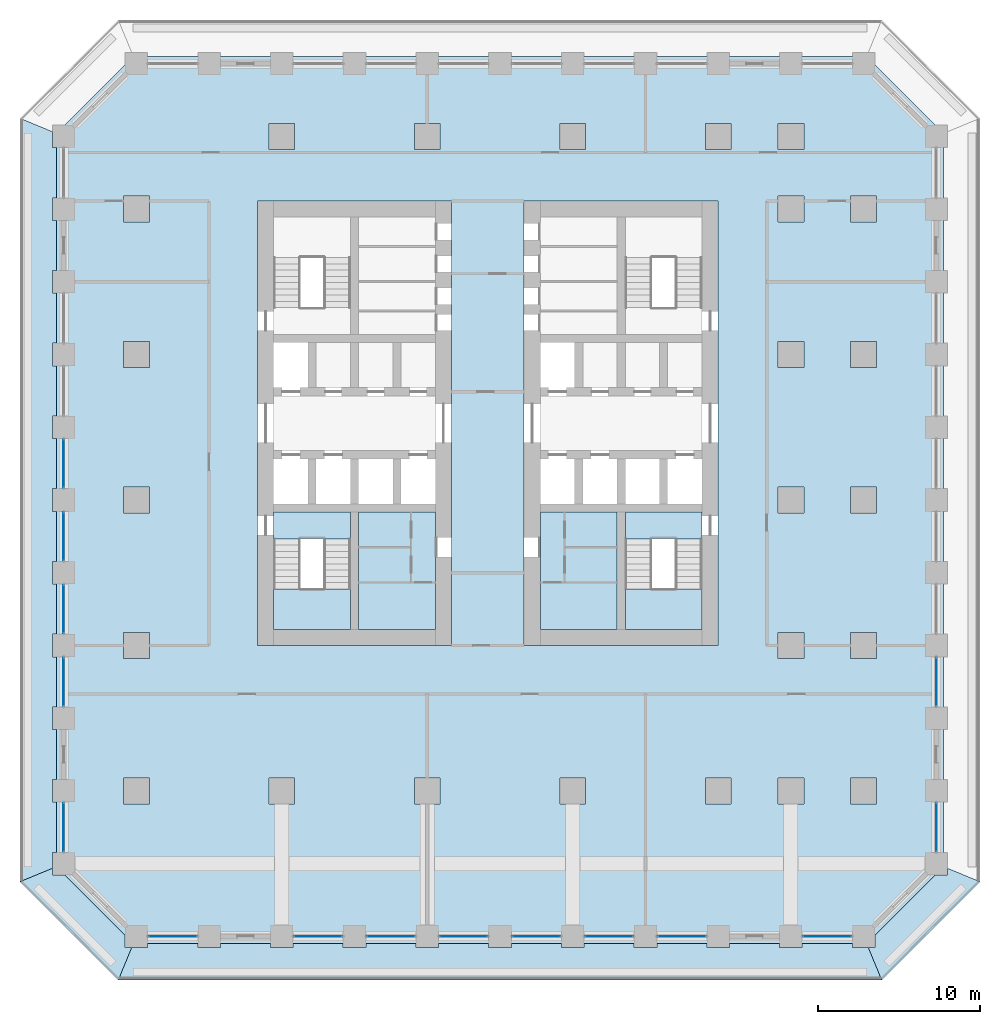
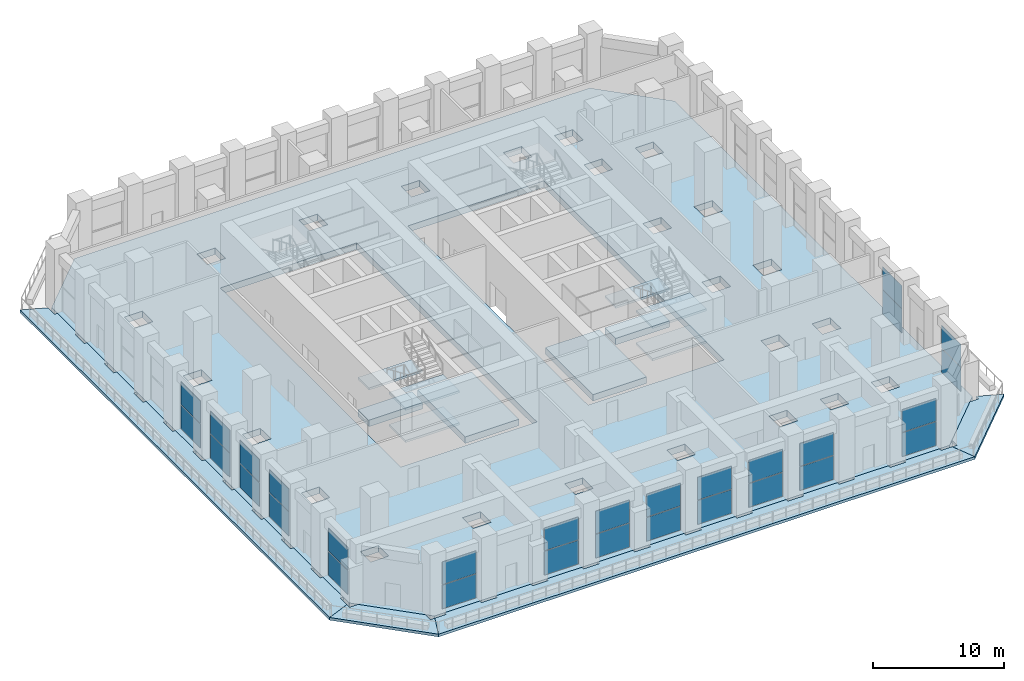
# One storey, part 9 of 19: 30 plates, 15 slabs, 17 elements without a shape of their own.
"""IFC4 building model written with IfcOpenShell, lengths in metres."""

from ifc_helpers import new_model, si_unit, direction, frame, origin, origin_2d, place, context, subcontext, project, spatial, polyline, rectangle, outline, extrude, material, layer, layer_set, type_object, element, aggregate, save


model = new_model("IFC4")

# Units and contexts
model_context = context("Model", 3, precision=1e-05, world=origin(), true_north=direction((0.0, 1.0)))
body_context = subcontext(model_context, "Body", "Model", "MODEL_VIEW")
ifc_project = project(units=[si_unit("LENGTHUNIT", "METRE"), si_unit("AREAUNIT", "SQUARE_METRE"), si_unit("VOLUMEUNIT", "CUBIC_METRE"), si_unit("PLANEANGLEUNIT", "RADIAN"), si_unit("MASSUNIT", "GRAM", prefix="KILO")], contexts=[model_context])

# Site, building, storey
site_placement = place(None, origin())
site = spatial("IfcSite", under=ifc_project, at=site_placement, CompositionType="ELEMENT")
building_placement = place(site_placement, origin())
building = spatial("IfcBuilding", under=site, at=building_placement, Name="Corbel Stack Research Tower", CompositionType="ELEMENT")
storey_placement = place(building_placement, frame((0.0, 0.0, 70.60009765625)))
storey = spatial("IfcBuildingStorey", under=building, at=storey_placement, Name="L16", CompositionType="ELEMENT", Elevation=70.60009765625)

# Curtain wall, plates
ifc_material_1 = material(Name="Aluminium frame, clear glass", Category="aluminium")
curtain_wall_type = type_object("IfcCurtainWallType", Name="Amenity floor curtain wall CW2", PredefinedType="NOTDEFINED", material=ifc_material_1)
curtain_wall_1_placement = place(storey_placement, origin())
curtain_wall_1 = element("IfcCurtainWall", 1, at=curtain_wall_1_placement, inside=storey, type_object=curtain_wall_type, Name="Curtain wall CW2 L16 S01", PredefinedType="NOTDEFINED")
ifc_material_2 = material(Name="Clear glass", Category="glass")
ifc_layer_1 = layer(ifc_material_2, 0.028076171875)
ifc_layer_set_1 = layer_set([ifc_layer_1], Name="Clear glass")
plate_type = type_object("IfcPlateType", Name="Clear glazing 28", PredefinedType="CURTAIN_PANEL", material=ifc_layer_set_1)
plate_1_placement = place(storey_placement, frame((-15.75, -27.0, 0.059814453125), z_axis=(0.0, 0.0, 1.0), x_axis=(1.0, 0.0, 0.0)))
plate_1 = element("IfcPlate", 2, at=plate_1_placement, type_object=plate_type, Name="CW2 L16 S01 panel 1.1", PredefinedType="CURTAIN_PANEL", context=body_context, shape_type="SweptSolid", body=[
    extrude(rectangle(XDim=2.97998046875, YDim=0.028076171875, at=origin_2d()), origin(), (0.0, 0.0, 1.0), 2.2099609375),
])
plate_2_placement = place(storey_placement, frame((-15.75, -27.0, 2.330078125), z_axis=(0.0, 0.0, 1.0), x_axis=(1.0, 0.0, 0.0)))
plate_2 = element("IfcPlate", 3, at=plate_2_placement, type_object=plate_type, Name="CW2 L16 S01 panel 1.2", PredefinedType="CURTAIN_PANEL", context=body_context, shape_type="SweptSolid", body=[
    extrude(rectangle(XDim=2.97998046875, YDim=0.028076171875, at=origin_2d()), origin(), (0.0, 0.0, 1.0), 2.110107421875),
])
aggregate(curtain_wall_1, [plate_1, plate_2])

curtain_wall_2_placement = place(storey_placement, origin())
curtain_wall_2 = element("IfcCurtainWall", 4, at=curtain_wall_2_placement, inside=storey, type_object=curtain_wall_type, Name="Curtain wall CW2 L16 S03", PredefinedType="NOTDEFINED")
plate_3_placement = place(storey_placement, frame((-6.75, -27.0, 0.059814453125), z_axis=(0.0, 0.0, 1.0), x_axis=(1.0, 0.0, 0.0)))
plate_3 = element("IfcPlate", 5, at=plate_3_placement, type_object=plate_type, Name="CW2 L16 S03 panel 1.1", PredefinedType="CURTAIN_PANEL", context=body_context, shape_type="SweptSolid", body=[
    extrude(rectangle(XDim=2.97998046875, YDim=0.028076171875, at=origin_2d()), origin(), (0.0, 0.0, 1.0), 2.2099609375),
])
plate_4_placement = place(storey_placement, frame((-6.75, -27.0, 2.330078125), z_axis=(0.0, 0.0, 1.0), x_axis=(1.0, 0.0, 0.0)))
plate_4 = element("IfcPlate", 6, at=plate_4_placement, type_object=plate_type, Name="CW2 L16 S03 panel 1.2", PredefinedType="CURTAIN_PANEL", context=body_context, shape_type="SweptSolid", body=[
    extrude(rectangle(XDim=2.97998046875, YDim=0.028076171875, at=origin_2d()), origin(), (0.0, 0.0, 1.0), 2.110107421875),
])
aggregate(curtain_wall_2, [plate_3, plate_4])

curtain_wall_3_placement = place(storey_placement, origin())
curtain_wall_3 = element("IfcCurtainWall", 7, at=curtain_wall_3_placement, inside=storey, type_object=curtain_wall_type, Name="Curtain wall CW2 L16 S04", PredefinedType="NOTDEFINED")
plate_5_placement = place(storey_placement, frame((-2.25, -27.0, 0.059814453125), z_axis=(0.0, 0.0, 1.0), x_axis=(1.0, 0.0, 0.0)))
plate_5 = element("IfcPlate", 8, at=plate_5_placement, type_object=plate_type, Name="CW2 L16 S04 panel 1.1", PredefinedType="CURTAIN_PANEL", context=body_context, shape_type="SweptSolid", body=[
    extrude(rectangle(XDim=2.97998046875, YDim=0.028076171875, at=origin_2d()), origin(), (0.0, 0.0, 1.0), 2.2099609375),
])
plate_6_placement = place(storey_placement, frame((-2.25, -27.0, 2.330078125), z_axis=(0.0, 0.0, 1.0), x_axis=(1.0, 0.0, 0.0)))
plate_6 = element("IfcPlate", 9, at=plate_6_placement, type_object=plate_type, Name="CW2 L16 S04 panel 1.2", PredefinedType="CURTAIN_PANEL", context=body_context, shape_type="SweptSolid", body=[
    extrude(rectangle(XDim=2.97998046875, YDim=0.028076171875, at=origin_2d()), origin(), (0.0, 0.0, 1.0), 2.110107421875),
])
aggregate(curtain_wall_3, [plate_5, plate_6])

curtain_wall_4_placement = place(storey_placement, origin())
curtain_wall_4 = element("IfcCurtainWall", 10, at=curtain_wall_4_placement, inside=storey, type_object=curtain_wall_type, Name="Curtain wall CW2 L16 S05", PredefinedType="NOTDEFINED")
plate_7_placement = place(storey_placement, frame((2.25, -27.0, 0.059814453125), z_axis=(0.0, 0.0, 1.0), x_axis=(1.0, 0.0, 0.0)))
plate_7 = element("IfcPlate", 11, at=plate_7_placement, type_object=plate_type, Name="CW2 L16 S05 panel 1.1", PredefinedType="CURTAIN_PANEL", context=body_context, shape_type="SweptSolid", body=[
    extrude(rectangle(XDim=2.97998046875, YDim=0.028076171875, at=origin_2d()), origin(), (0.0, 0.0, 1.0), 2.2099609375),
])
plate_8_placement = place(storey_placement, frame((2.25, -27.0, 2.330078125), z_axis=(0.0, 0.0, 1.0), x_axis=(1.0, 0.0, 0.0)))
plate_8 = element("IfcPlate", 12, at=plate_8_placement, type_object=plate_type, Name="CW2 L16 S05 panel 1.2", PredefinedType="CURTAIN_PANEL", context=body_context, shape_type="SweptSolid", body=[
    extrude(rectangle(XDim=2.97998046875, YDim=0.028076171875, at=origin_2d()), origin(), (0.0, 0.0, 1.0), 2.110107421875),
])
aggregate(curtain_wall_4, [plate_7, plate_8])

curtain_wall_5_placement = place(storey_placement, origin())
curtain_wall_5 = element("IfcCurtainWall", 13, at=curtain_wall_5_placement, inside=storey, type_object=curtain_wall_type, Name="Curtain wall CW2 L16 S06", PredefinedType="NOTDEFINED")
plate_9_placement = place(storey_placement, frame((6.75, -27.0, 0.059814453125), z_axis=(0.0, 0.0, 1.0), x_axis=(1.0, 0.0, 0.0)))
plate_9 = element("IfcPlate", 14, at=plate_9_placement, type_object=plate_type, Name="CW2 L16 S06 panel 1.1", PredefinedType="CURTAIN_PANEL", context=body_context, shape_type="SweptSolid", body=[
    extrude(rectangle(XDim=2.97998046875, YDim=0.028076171875, at=origin_2d()), origin(), (0.0, 0.0, 1.0), 2.2099609375),
])
plate_10_placement = place(storey_placement, frame((6.75, -27.0, 2.330078125), z_axis=(0.0, 0.0, 1.0), x_axis=(1.0, 0.0, 0.0)))
plate_10 = element("IfcPlate", 15, at=plate_10_placement, type_object=plate_type, Name="CW2 L16 S06 panel 1.2", PredefinedType="CURTAIN_PANEL", context=body_context, shape_type="SweptSolid", body=[
    extrude(rectangle(XDim=2.97998046875, YDim=0.028076171875, at=origin_2d()), origin(), (0.0, 0.0, 1.0), 2.110107421875),
])
aggregate(curtain_wall_5, [plate_9, plate_10])

curtain_wall_6_placement = place(storey_placement, origin())
curtain_wall_6 = element("IfcCurtainWall", 16, at=curtain_wall_6_placement, inside=storey, type_object=curtain_wall_type, Name="Curtain wall CW2 L16 S07", PredefinedType="NOTDEFINED")
plate_11_placement = place(storey_placement, frame((11.25, -27.0, 0.059814453125), z_axis=(0.0, 0.0, 1.0), x_axis=(1.0, 0.0, 0.0)))
plate_11 = element("IfcPlate", 17, at=plate_11_placement, type_object=plate_type, Name="CW2 L16 S07 panel 1.1", PredefinedType="CURTAIN_PANEL", context=body_context, shape_type="SweptSolid", body=[
    extrude(rectangle(XDim=2.97998046875, YDim=0.028076171875, at=origin_2d()), origin(), (0.0, 0.0, 1.0), 2.2099609375),
])
plate_12_placement = place(storey_placement, frame((11.25, -27.0, 2.330078125), z_axis=(0.0, 0.0, 1.0), x_axis=(1.0, 0.0, 0.0)))
plate_12 = element("IfcPlate", 18, at=plate_12_placement, type_object=plate_type, Name="CW2 L16 S07 panel 1.2", PredefinedType="CURTAIN_PANEL", context=body_context, shape_type="SweptSolid", body=[
    extrude(rectangle(XDim=2.97998046875, YDim=0.028076171875, at=origin_2d()), origin(), (0.0, 0.0, 1.0), 2.110107421875),
])
aggregate(curtain_wall_6, [plate_11, plate_12])

curtain_wall_7_placement = place(storey_placement, origin())
curtain_wall_7 = element("IfcCurtainWall", 19, at=curtain_wall_7_placement, inside=storey, type_object=curtain_wall_type, Name="Curtain wall CW2 L16 S08", PredefinedType="NOTDEFINED")
plate_13_placement = place(storey_placement, frame((15.75, -27.0, 0.059814453125), z_axis=(0.0, 0.0, 1.0), x_axis=(1.0, 0.0, 0.0)))
plate_13 = element("IfcPlate", 20, at=plate_13_placement, type_object=plate_type, Name="CW2 L16 S08 panel 1.1", PredefinedType="CURTAIN_PANEL", context=body_context, shape_type="SweptSolid", body=[
    extrude(rectangle(XDim=2.97998046875, YDim=0.028076171875, at=origin_2d()), origin(), (0.0, 0.0, 1.0), 2.2099609375),
])
plate_14_placement = place(storey_placement, frame((15.75, -27.0, 2.330078125), z_axis=(0.0, 0.0, 1.0), x_axis=(1.0, 0.0, 0.0)))
plate_14 = element("IfcPlate", 21, at=plate_14_placement, type_object=plate_type, Name="CW2 L16 S08 panel 1.2", PredefinedType="CURTAIN_PANEL", context=body_context, shape_type="SweptSolid", body=[
    extrude(rectangle(XDim=2.97998046875, YDim=0.028076171875, at=origin_2d()), origin(), (0.0, 0.0, 1.0), 2.110107421875),
])
aggregate(curtain_wall_7, [plate_13, plate_14])

curtain_wall_8_placement = place(storey_placement, origin())
curtain_wall_8 = element("IfcCurtainWall", 22, at=curtain_wall_8_placement, inside=storey, type_object=curtain_wall_type, Name="Curtain wall CW2 L16 S10", PredefinedType="NOTDEFINED")
plate_15_placement = place(storey_placement, frame((24.75, -27.0, 0.059814453125), z_axis=(0.0, 0.0, 1.0), x_axis=(1.0, 0.0, 0.0)))
plate_15 = element("IfcPlate", 23, at=plate_15_placement, type_object=plate_type, Name="CW2 L16 S10 panel 1.1", PredefinedType="CURTAIN_PANEL", context=body_context, shape_type="SweptSolid", body=[
    extrude(rectangle(XDim=2.97998046875, YDim=0.028076171875, at=origin_2d()), origin(), (0.0, 0.0, 1.0), 2.2099609375),
])
plate_16_placement = place(storey_placement, frame((24.75, -27.0, 2.330078125), z_axis=(0.0, 0.0, 1.0), x_axis=(1.0, 0.0, 0.0)))
plate_16 = element("IfcPlate", 24, at=plate_16_placement, type_object=plate_type, Name="CW2 L16 S10 panel 1.2", PredefinedType="CURTAIN_PANEL", context=body_context, shape_type="SweptSolid", body=[
    extrude(rectangle(XDim=2.97998046875, YDim=0.028076171875, at=origin_2d()), origin(), (0.0, 0.0, 1.0), 2.110107421875),
])
aggregate(curtain_wall_8, [plate_15, plate_16])

curtain_wall_9_placement = place(storey_placement, origin())
curtain_wall_9 = element("IfcCurtainWall", 25, at=curtain_wall_9_placement, inside=storey, type_object=curtain_wall_type, Name="Curtain wall CW2 L16 E01", PredefinedType="NOTDEFINED")
plate_17_placement = place(storey_placement, frame((31.5, -20.25, 0.059814453125), z_axis=(0.0, 0.0, 1.0), x_axis=(0.0, 1.0, 0.0)))
plate_17 = element("IfcPlate", 26, at=plate_17_placement, type_object=plate_type, Name="CW2 L16 E01 panel 1.1", PredefinedType="CURTAIN_PANEL", context=body_context, shape_type="SweptSolid", body=[
    extrude(rectangle(XDim=2.97998046875, YDim=0.028076171875, at=origin_2d()), origin(), (0.0, 0.0, 1.0), 2.2099609375),
])
plate_18_placement = place(storey_placement, frame((31.5, -20.25, 2.330078125), z_axis=(0.0, 0.0, 1.0), x_axis=(0.0, 1.0, 0.0)))
plate_18 = element("IfcPlate", 27, at=plate_18_placement, type_object=plate_type, Name="CW2 L16 E01 panel 1.2", PredefinedType="CURTAIN_PANEL", context=body_context, shape_type="SweptSolid", body=[
    extrude(rectangle(XDim=2.97998046875, YDim=0.028076171875, at=origin_2d()), origin(), (0.0, 0.0, 1.0), 2.110107421875),
])
aggregate(curtain_wall_9, [plate_17, plate_18])

curtain_wall_10_placement = place(storey_placement, origin())
curtain_wall_10 = element("IfcCurtainWall", 28, at=curtain_wall_10_placement, inside=storey, type_object=curtain_wall_type, Name="Curtain wall CW2 L16 E03", PredefinedType="NOTDEFINED")
plate_19_placement = place(storey_placement, frame((31.5, -11.25, 0.059814453125), z_axis=(0.0, 0.0, 1.0), x_axis=(0.0, 1.0, 0.0)))
plate_19 = element("IfcPlate", 29, at=plate_19_placement, type_object=plate_type, Name="CW2 L16 E03 panel 1.1", PredefinedType="CURTAIN_PANEL", context=body_context, shape_type="SweptSolid", body=[
    extrude(rectangle(XDim=2.97998046875, YDim=0.028076171875, at=origin_2d()), origin(), (0.0, 0.0, 1.0), 2.2099609375),
])
plate_20_placement = place(storey_placement, frame((31.5, -11.25, 2.330078125), z_axis=(0.0, 0.0, 1.0), x_axis=(0.0, 1.0, 0.0)))
plate_20 = element("IfcPlate", 30, at=plate_20_placement, type_object=plate_type, Name="CW2 L16 E03 panel 1.2", PredefinedType="CURTAIN_PANEL", context=body_context, shape_type="SweptSolid", body=[
    extrude(rectangle(XDim=2.97998046875, YDim=0.028076171875, at=origin_2d()), origin(), (0.0, 0.0, 1.0), 2.110107421875),
])
aggregate(curtain_wall_10, [plate_19, plate_20])

curtain_wall_11_placement = place(storey_placement, origin())
curtain_wall_11 = element("IfcCurtainWall", 31, at=curtain_wall_11_placement, inside=storey, type_object=curtain_wall_type, Name="Curtain wall CW2 L16 W05", PredefinedType="NOTDEFINED")
plate_21_placement = place(storey_placement, frame((-22.5, 2.25, 0.059814453125), z_axis=(0.0, 0.0, 1.0), x_axis=(0.0, -1.0, 0.0)))
plate_21 = element("IfcPlate", 32, at=plate_21_placement, type_object=plate_type, Name="CW2 L16 W05 panel 1.1", PredefinedType="CURTAIN_PANEL", context=body_context, shape_type="SweptSolid", body=[
    extrude(rectangle(XDim=2.97998046875, YDim=0.028076171875, at=origin_2d()), origin(), (0.0, 0.0, 1.0), 2.2099609375),
])
plate_22_placement = place(storey_placement, frame((-22.5, 2.25, 2.330078125), z_axis=(0.0, 0.0, 1.0), x_axis=(0.0, -1.0, 0.0)))
plate_22 = element("IfcPlate", 33, at=plate_22_placement, type_object=plate_type, Name="CW2 L16 W05 panel 1.2", PredefinedType="CURTAIN_PANEL", context=body_context, shape_type="SweptSolid", body=[
    extrude(rectangle(XDim=2.97998046875, YDim=0.028076171875, at=origin_2d()), origin(), (0.0, 0.0, 1.0), 2.110107421875),
])
aggregate(curtain_wall_11, [plate_21, plate_22])

curtain_wall_12_placement = place(storey_placement, origin())
curtain_wall_12 = element("IfcCurtainWall", 34, at=curtain_wall_12_placement, inside=storey, type_object=curtain_wall_type, Name="Curtain wall CW2 L16 W06", PredefinedType="NOTDEFINED")
plate_23_placement = place(storey_placement, frame((-22.5, -2.25, 0.059814453125), z_axis=(0.0, 0.0, 1.0), x_axis=(0.0, -1.0, 0.0)))
plate_23 = element("IfcPlate", 35, at=plate_23_placement, type_object=plate_type, Name="CW2 L16 W06 panel 1.1", PredefinedType="CURTAIN_PANEL", context=body_context, shape_type="SweptSolid", body=[
    extrude(rectangle(XDim=2.97998046875, YDim=0.028076171875, at=origin_2d()), origin(), (0.0, 0.0, 1.0), 2.2099609375),
])
plate_24_placement = place(storey_placement, frame((-22.5, -2.25, 2.330078125), z_axis=(0.0, 0.0, 1.0), x_axis=(0.0, -1.0, 0.0)))
plate_24 = element("IfcPlate", 36, at=plate_24_placement, type_object=plate_type, Name="CW2 L16 W06 panel 1.2", PredefinedType="CURTAIN_PANEL", context=body_context, shape_type="SweptSolid", body=[
    extrude(rectangle(XDim=2.97998046875, YDim=0.028076171875, at=origin_2d()), origin(), (0.0, 0.0, 1.0), 2.110107421875),
])
aggregate(curtain_wall_12, [plate_23, plate_24])

curtain_wall_13_placement = place(storey_placement, origin())
curtain_wall_13 = element("IfcCurtainWall", 37, at=curtain_wall_13_placement, inside=storey, type_object=curtain_wall_type, Name="Curtain wall CW2 L16 W07", PredefinedType="NOTDEFINED")
plate_25_placement = place(storey_placement, frame((-22.5, -6.75, 0.059814453125), z_axis=(0.0, 0.0, 1.0), x_axis=(0.0, -1.0, 0.0)))
plate_25 = element("IfcPlate", 38, at=plate_25_placement, type_object=plate_type, Name="CW2 L16 W07 panel 1.1", PredefinedType="CURTAIN_PANEL", context=body_context, shape_type="SweptSolid", body=[
    extrude(rectangle(XDim=2.97998046875, YDim=0.028076171875, at=origin_2d()), origin(), (0.0, 0.0, 1.0), 2.2099609375),
])
plate_26_placement = place(storey_placement, frame((-22.5, -6.75, 2.330078125), z_axis=(0.0, 0.0, 1.0), x_axis=(0.0, -1.0, 0.0)))
plate_26 = element("IfcPlate", 39, at=plate_26_placement, type_object=plate_type, Name="CW2 L16 W07 panel 1.2", PredefinedType="CURTAIN_PANEL", context=body_context, shape_type="SweptSolid", body=[
    extrude(rectangle(XDim=2.97998046875, YDim=0.028076171875, at=origin_2d()), origin(), (0.0, 0.0, 1.0), 2.110107421875),
])
aggregate(curtain_wall_13, [plate_25, plate_26])

curtain_wall_14_placement = place(storey_placement, origin())
curtain_wall_14 = element("IfcCurtainWall", 40, at=curtain_wall_14_placement, inside=storey, type_object=curtain_wall_type, Name="Curtain wall CW2 L16 W08", PredefinedType="NOTDEFINED")
plate_27_placement = place(storey_placement, frame((-22.5, -11.25, 0.059814453125), z_axis=(0.0, 0.0, 1.0), x_axis=(0.0, -1.0, 0.0)))
plate_27 = element("IfcPlate", 41, at=plate_27_placement, type_object=plate_type, Name="CW2 L16 W08 panel 1.1", PredefinedType="CURTAIN_PANEL", context=body_context, shape_type="SweptSolid", body=[
    extrude(rectangle(XDim=2.97998046875, YDim=0.028076171875, at=origin_2d()), origin(), (0.0, 0.0, 1.0), 2.2099609375),
])
plate_28_placement = place(storey_placement, frame((-22.5, -11.25, 2.330078125), z_axis=(0.0, 0.0, 1.0), x_axis=(0.0, -1.0, 0.0)))
plate_28 = element("IfcPlate", 42, at=plate_28_placement, type_object=plate_type, Name="CW2 L16 W08 panel 1.2", PredefinedType="CURTAIN_PANEL", context=body_context, shape_type="SweptSolid", body=[
    extrude(rectangle(XDim=2.97998046875, YDim=0.028076171875, at=origin_2d()), origin(), (0.0, 0.0, 1.0), 2.110107421875),
])
aggregate(curtain_wall_14, [plate_27, plate_28])

curtain_wall_15_placement = place(storey_placement, origin())
curtain_wall_15 = element("IfcCurtainWall", 43, at=curtain_wall_15_placement, inside=storey, type_object=curtain_wall_type, Name="Curtain wall CW2 L16 W10", PredefinedType="NOTDEFINED")
plate_29_placement = place(storey_placement, frame((-22.5, -20.25, 0.059814453125), z_axis=(0.0, 0.0, 1.0), x_axis=(0.0, -1.0, 0.0)))
plate_29 = element("IfcPlate", 44, at=plate_29_placement, type_object=plate_type, Name="CW2 L16 W10 panel 1.1", PredefinedType="CURTAIN_PANEL", context=body_context, shape_type="SweptSolid", body=[
    extrude(rectangle(XDim=2.97998046875, YDim=0.028076171875, at=origin_2d()), origin(), (0.0, 0.0, 1.0), 2.2099609375),
])
plate_30_placement = place(storey_placement, frame((-22.5, -20.25, 2.330078125), z_axis=(0.0, 0.0, 1.0), x_axis=(0.0, -1.0, 0.0)))
plate_30 = element("IfcPlate", 45, at=plate_30_placement, type_object=plate_type, Name="CW2 L16 W10 panel 1.2", PredefinedType="CURTAIN_PANEL", context=body_context, shape_type="SweptSolid", body=[
    extrude(rectangle(XDim=2.97998046875, YDim=0.028076171875, at=origin_2d()), origin(), (0.0, 0.0, 1.0), 2.110107421875),
])
aggregate(curtain_wall_15, [plate_29, plate_30])

# Slabs
ifc_material_3 = material(Name="Concrete C45/55", Category="concrete")
ifc_layer_2 = layer(ifc_material_3, 0.25)
ifc_layer_set_2 = layer_set([ifc_layer_2], Name="Concrete C45/55")
slab_type_1 = type_object("IfcSlabType", Name="PT balcony slab 250 C45/55", PredefinedType="FLOOR", material=ifc_layer_set_2)
slab_1_placement = place(storey_placement, frame((0.0, 0.0, -0.25)))
element("IfcSlab", 46, at=slab_1_placement, inside=storey, type_object=slab_type_1, Name="Loggia slab L16 S", PredefinedType="FLOOR", context=body_context, shape_type="SweptSolid", body=[
    extrude(outline(polyline([(27.289794921875, -27.699951171875), (26.300048828125, -27.699951171875), (26.300048828125, -27.449951171875), (23.199951171875, -27.449951171875), (23.199951171875, -27.699951171875), (21.800048828125, -27.699951171875), (21.800048828125, -27.449951171875), (18.699951171875, -27.449951171875), (18.699951171875, -27.699951171875), (17.300048828125, -27.699951171875), (17.300048828125, -27.449951171875), (14.199951171875, -27.449951171875), (14.199951171875, -27.699951171875), (12.800048828125, -27.699951171875), (12.800048828125, -27.449951171875), (9.699951171875, -27.449951171875), (9.699951171875, -27.699951171875), (8.300048828125, -27.699951171875), (8.300048828125, -27.449951171875), (5.199951171875, -27.449951171875), (5.199951171875, -27.699951171875), (3.800048828125, -27.699951171875), (3.800048828125, -27.449951171875), (0.699951171875, -27.449951171875), (0.699951171875, -27.699951171875), (-0.699951171875, -27.699951171875), (-0.699951171875, -27.449951171875), (-3.800048828125, -27.449951171875), (-3.800048828125, -27.699951171875), (-5.199951171875, -27.699951171875), (-5.199951171875, -27.449951171875), (-8.300048828125, -27.449951171875), (-8.300048828125, -27.699951171875), (-9.699951171875, -27.699951171875), (-9.699951171875, -27.449951171875), (-12.800048828125, -27.449951171875), (-12.800048828125, -27.699951171875), (-14.199951171875, -27.699951171875), (-14.199951171875, -27.449951171875), (-17.300048828125, -27.449951171875), (-17.300048828125, -27.699951171875), (-18.289794921875, -27.699951171875), (-19.118408203125, -29.699951171875), (28.118408203125, -29.699951171875), (27.289794921875, -27.699951171875)])), origin(), (0.0, 0.0, 1.0), 0.25),
])
slab_2_placement = place(storey_placement, frame((0.0, 0.0, -0.25)))
element("IfcSlab", 47, at=slab_2_placement, inside=storey, type_object=slab_type_1, Name="Loggia slab L16 SE", PredefinedType="FLOOR", context=body_context, shape_type="SweptSolid", body=[
    extrude(outline(polyline([(32.199951171875, -22.789794921875), (32.199951171875, -23.199951171875), (31.436279296875, -23.199951171875), (27.699951171875, -26.936279296875), (27.699951171875, -27.699951171875), (27.289794921875, -27.699951171875), (28.118408203125, -29.699951171875), (34.199951171875, -23.618408203125), (32.199951171875, -22.789794921875)])), origin(), (0.0, 0.0, 1.0), 0.25),
])
slab_3_placement = place(storey_placement, frame((0.0, 0.0, -0.25)))
element("IfcSlab", 48, at=slab_3_placement, inside=storey, type_object=slab_type_1, Name="Loggia slab L16 W", PredefinedType="FLOOR", context=body_context, shape_type="SweptSolid", body=[
    extrude(outline(polyline([(-23.199951171875, -22.789794921875), (-23.199951171875, -21.800048828125), (-22.949951171875, -21.800048828125), (-22.949951171875, -18.699951171875), (-23.199951171875, -18.699951171875), (-23.199951171875, -17.300048828125), (-22.949951171875, -17.300048828125), (-22.949951171875, -14.199951171875), (-23.199951171875, -14.199951171875), (-23.199951171875, -12.800048828125), (-22.949951171875, -12.800048828125), (-22.949951171875, -9.699951171875), (-23.199951171875, -9.699951171875), (-23.199951171875, -8.300048828125), (-22.949951171875, -8.300048828125), (-22.949951171875, -5.199951171875), (-23.199951171875, -5.199951171875), (-23.199951171875, -3.800048828125), (-22.949951171875, -3.800048828125), (-22.949951171875, -0.699951171875), (-23.199951171875, -0.699951171875), (-23.199951171875, 0.699951171875), (-22.949951171875, 0.699951171875), (-22.949951171875, 3.800048828125), (-23.199951171875, 3.800048828125), (-23.199951171875, 5.199951171875), (-22.949951171875, 5.199951171875), (-22.949951171875, 8.300048828125), (-23.199951171875, 8.300048828125), (-23.199951171875, 9.699951171875), (-22.949951171875, 9.699951171875), (-22.949951171875, 12.800048828125), (-23.199951171875, 12.800048828125), (-23.199951171875, 14.199951171875), (-22.949951171875, 14.199951171875), (-22.949951171875, 17.300048828125), (-23.199951171875, 17.300048828125), (-23.199951171875, 18.699951171875), (-22.949951171875, 18.699951171875), (-22.949951171875, 21.800048828125), (-23.199951171875, 21.800048828125), (-23.199951171875, 22.789794921875), (-25.199951171875, 23.618408203125), (-25.199951171875, -23.618408203125), (-23.199951171875, -22.789794921875)])), origin(), (0.0, 0.0, 1.0), 0.25),
])
slab_4_placement = place(storey_placement, frame((0.0, 0.0, -0.25)))
element("IfcSlab", 49, at=slab_4_placement, inside=storey, type_object=slab_type_1, Name="Loggia slab L16 SW", PredefinedType="FLOOR", context=body_context, shape_type="SweptSolid", body=[
    extrude(outline(polyline([(-18.289794921875, -27.699951171875), (-18.699951171875, -27.699951171875), (-18.699951171875, -26.936279296875), (-22.436279296875, -23.199951171875), (-23.199951171875, -23.199951171875), (-23.199951171875, -22.789794921875), (-25.199951171875, -23.618408203125), (-19.118408203125, -29.699951171875), (-18.289794921875, -27.699951171875)])), origin(), (0.0, 0.0, 1.0), 0.25),
])
ifc_material_4 = material(Name="Concrete C45/55", Category="concrete")
ifc_layer_3 = layer(ifc_material_4, 0.60009765625)
ifc_layer_set_3 = layer_set([ifc_layer_3], Name="Concrete C45/55")
slab_type_2 = type_object("IfcSlabType", Name="PT-600", PredefinedType="FLOOR", material=ifc_layer_set_3)
slab_5_placement = place(storey_placement, frame((0.0, 0.0, -0.60009765625)))
element("IfcSlab", 50, at=slab_5_placement, inside=storey, type_object=slab_type_2, Name="Floor slab L16", PredefinedType="FLOOR", context=body_context, shape_type="SweptSolid", body=[
    extrude(outline(polyline([(-18.186279296875, -27.449951171875), (27.186279296875, -27.449951171875), (31.949951171875, -22.686279296875), (31.949951171875, 22.686279296875), (27.186279296875, 27.449951171875), (-18.186279296875, 27.449951171875), (-22.949951171875, 22.686279296875), (-22.949951171875, -22.686279296875), (-18.186279296875, -27.449951171875)]), holes=[polyline([(26.199951171875, 17.199951171875), (26.199951171875, 18.800048828125), (27.800048828125, 18.800048828125), (27.800048828125, 17.199951171875), (26.199951171875, 17.199951171875)]), polyline([(26.199951171875, 8.199951171875), (26.199951171875, 9.800048828125), (27.800048828125, 9.800048828125), (27.800048828125, 8.199951171875), (26.199951171875, 8.199951171875)]), polyline([(27.800048828125, -0.800048828125), (26.199951171875, -0.800048828125), (26.199951171875, 0.800048828125), (27.800048828125, 0.800048828125), (27.800048828125, -0.800048828125)]), polyline([(26.199951171875, -9.800048828125), (26.199951171875, -8.199951171875), (27.800048828125, -8.199951171875), (27.800048828125, -9.800048828125), (26.199951171875, -9.800048828125)]), polyline([(26.199951171875, -18.800048828125), (26.199951171875, -17.199951171875), (27.800048828125, -17.199951171875), (27.800048828125, -18.800048828125), (26.199951171875, -18.800048828125)]), polyline([(21.699951171875, 21.699951171875), (21.699951171875, 23.300048828125), (23.300048828125, 23.300048828125), (23.300048828125, 21.699951171875), (21.699951171875, 21.699951171875)]), polyline([(21.699951171875, 17.199951171875), (21.699951171875, 18.800048828125), (23.300048828125, 18.800048828125), (23.300048828125, 17.199951171875), (21.699951171875, 17.199951171875)]), polyline([(21.699951171875, 8.199951171875), (21.699951171875, 9.800048828125), (23.300048828125, 9.800048828125), (23.300048828125, 8.199951171875), (21.699951171875, 8.199951171875)]), polyline([(21.699951171875, -0.800048828125), (21.699951171875, 0.800048828125), (23.300048828125, 0.800048828125), (23.300048828125, -0.800048828125), (21.699951171875, -0.800048828125)]), polyline([(23.300048828125, -9.800048828125), (21.699951171875, -9.800048828125), (21.699951171875, -8.199951171875), (23.300048828125, -8.199951171875), (23.300048828125, -9.800048828125)]), polyline([(21.699951171875, -18.800048828125), (21.699951171875, -17.199951171875), (23.300048828125, -17.199951171875), (23.300048828125, -18.800048828125), (21.699951171875, -18.800048828125)]), polyline([(17.199951171875, 21.699951171875), (17.199951171875, 23.300048828125), (18.800048828125, 23.300048828125), (18.800048828125, 21.699951171875), (17.199951171875, 21.699951171875)]), polyline([(18.800048828125, -18.800048828125), (17.199951171875, -18.800048828125), (17.199951171875, -17.199951171875), (18.800048828125, -17.199951171875), (18.800048828125, -18.800048828125)]), polyline([(6.0, -9.0), (6.0, 18.5), (18.0, 18.5), (18.0, -9.0), (6.0, -9.0)]), polyline([(8.199951171875, 21.699951171875), (8.199951171875, 23.300048828125), (9.800048828125, 23.300048828125), (9.800048828125, 21.699951171875), (8.199951171875, 21.699951171875)]), polyline([(9.800048828125, -18.800048828125), (8.199951171875, -18.800048828125), (8.199951171875, -17.199951171875), (9.800048828125, -17.199951171875), (9.800048828125, -18.800048828125)]), polyline([(1.5, -9.0), (-10.5, -9.0), (-10.5, 18.5), (1.5, 18.5), (1.5, -9.0)]), polyline([(-0.800048828125, 21.699951171875), (-0.800048828125, 23.300048828125), (0.800048828125, 23.300048828125), (0.800048828125, 21.699951171875), (-0.800048828125, 21.699951171875)]), polyline([(-0.800048828125, -18.800048828125), (-0.800048828125, -17.199951171875), (0.800048828125, -17.199951171875), (0.800048828125, -18.800048828125), (-0.800048828125, -18.800048828125)]), polyline([(-9.800048828125, 21.699951171875), (-9.800048828125, 23.300048828125), (-8.199951171875, 23.300048828125), (-8.199951171875, 21.699951171875), (-9.800048828125, 21.699951171875)]), polyline([(-9.800048828125, -18.800048828125), (-9.800048828125, -17.199951171875), (-8.199951171875, -17.199951171875), (-8.199951171875, -18.800048828125), (-9.800048828125, -18.800048828125)]), polyline([(-18.800048828125, 17.199951171875), (-18.800048828125, 18.800048828125), (-17.199951171875, 18.800048828125), (-17.199951171875, 17.199951171875), (-18.800048828125, 17.199951171875)]), polyline([(-18.800048828125, 8.199951171875), (-18.800048828125, 9.800048828125), (-17.199951171875, 9.800048828125), (-17.199951171875, 8.199951171875), (-18.800048828125, 8.199951171875)]), polyline([(-18.800048828125, -0.800048828125), (-18.800048828125, 0.800048828125), (-17.199951171875, 0.800048828125), (-17.199951171875, -0.800048828125), (-18.800048828125, -0.800048828125)]), polyline([(-18.800048828125, -9.800048828125), (-18.800048828125, -8.199951171875), (-17.199951171875, -8.199951171875), (-17.199951171875, -9.800048828125), (-18.800048828125, -9.800048828125)]), polyline([(-17.199951171875, -18.800048828125), (-18.800048828125, -18.800048828125), (-18.800048828125, -17.199951171875), (-17.199951171875, -17.199951171875), (-17.199951171875, -18.800048828125)])]), origin(), (0.0, 0.0, 1.0), 0.60009765625),
])
slab_6_placement = place(storey_placement, frame((0.0, 0.0, -0.60009765625)))
element("IfcSlab", 51, at=slab_6_placement, inside=storey, type_object=slab_type_2, Name="West core floor L16", PredefinedType="FLOOR", context=body_context, shape_type="SweptSolid", body=[
    extrude(outline(polyline([(-4.25, -0.75), (-4.25, -8.0), (0.5, -8.0), (0.5, -0.75), (-4.25, -0.75)])), origin(), (0.0, 0.0, 1.0), 0.60009765625),
])
slab_7_placement = place(storey_placement, frame((0.0, 0.0, -0.60009765625)))
element("IfcSlab", 52, at=slab_7_placement, inside=storey, type_object=slab_type_2, Name="East core floor L16", PredefinedType="FLOOR", context=body_context, shape_type="SweptSolid", body=[
    extrude(outline(polyline([(7.0, -0.75), (7.0, -8.0), (11.75, -8.0), (11.75, -0.75), (7.0, -0.75)])), origin(), (0.0, 0.0, 1.0), 0.60009765625),
])
slab_8_placement = place(storey_placement, frame((0.0, 0.0, -0.60009765625)))
element("IfcSlab", 53, at=slab_8_placement, inside=storey, type_object=slab_type_2, Name="Stair floor landing ST-W1", PredefinedType="FLOOR", context=body_context, shape_type="SweptSolid", body=[
    extrude(outline(polyline([(-9.5, -2.39990234375), (-4.75, -2.39990234375), (-4.75, -0.75), (-9.5, -0.75), (-9.5, -2.39990234375)])), origin(), (0.0, 0.0, 1.0), 0.60009765625),
])
slab_9_placement = place(storey_placement, frame((0.0, 0.0, -0.60009765625)))
element("IfcSlab", 54, at=slab_9_placement, inside=storey, type_object=slab_type_2, Name="Stair floor landing ST-E1", PredefinedType="FLOOR", context=body_context, shape_type="SweptSolid", body=[
    extrude(outline(polyline([(12.25, -2.39990234375), (17.0, -2.39990234375), (17.0, -0.75), (12.25, -0.75), (12.25, -2.39990234375)])), origin(), (0.0, 0.0, 1.0), 0.60009765625),
])

# Stair, slabs
ifc_material_5 = material(Name="Concrete C40/50", Category="concrete")
stair_type = type_object("IfcStairType", Name="Exit stair 36 risers, 388 going", PredefinedType="HALF_TURN_STAIR", material=ifc_material_5)
stair_1_placement = place(storey_placement, origin())
stair_1 = element("IfcStair", 55, at=stair_1_placement, inside=storey, type_object=stair_type, Name="L16 Exit stair ST-W1", PredefinedType="HALF_TURN_STAIR")
ifc_material_6 = material(Name="Concrete C40/50", Category="concrete")
ifc_layer_4 = layer(ifc_material_6, 0.199951171875)
ifc_layer_set_4 = layer_set([ifc_layer_4], Name="Concrete C40/50")
slab_type_3 = type_object("IfcSlabType", Name="Stair landing 200 C40/50", PredefinedType="LANDING", material=ifc_layer_set_4)
slab_10_placement = place(storey_placement, frame((0.0, 0.0, 1.2998046875)))
slab_10 = element("IfcSlab", 56, at=slab_10_placement, type_object=slab_type_3, Name="ST-W1 landing 1", PredefinedType="LANDING", context=body_context, shape_type="SweptSolid", body=[
    extrude(outline(polyline([(-9.5, -8.0), (-9.5, -5.50390625), (-4.75, -5.50390625), (-4.75, -8.0), (-9.5, -8.0)])), origin(), (0.0, 0.0, 1.0), 0.2001953125),
])
slab_11_placement = place(storey_placement, frame((0.0, 0.0, 2.7998046875)))
slab_11 = element("IfcSlab", 57, at=slab_11_placement, type_object=slab_type_3, Name="ST-W1 landing 2", PredefinedType="LANDING", context=body_context, shape_type="SweptSolid", body=[
    extrude(outline(polyline([(-9.5, -2.39990234375), (-9.5, -0.75), (-4.75, -0.75), (-4.75, -2.39990234375), (-9.5, -2.39990234375)])), origin(), (0.0, 0.0, 1.0), 0.2001953125),
])
slab_12_placement = place(storey_placement, frame((0.0, 0.0, 4.2998046875)))
slab_12 = element("IfcSlab", 58, at=slab_12_placement, type_object=slab_type_3, Name="ST-W1 landing 3", PredefinedType="LANDING", context=body_context, shape_type="SweptSolid", body=[
    extrude(outline(polyline([(-9.5, -8.0), (-9.5, -5.50390625), (-4.75, -5.50390625), (-4.75, -8.0), (-9.5, -8.0)])), origin(), (0.0, 0.0, 1.0), 0.2001953125),
])
aggregate(stair_1, [slab_10, slab_11, slab_12])

stair_2_placement = place(storey_placement, origin())
stair_2 = element("IfcStair", 59, at=stair_2_placement, inside=storey, type_object=stair_type, Name="L16 Exit stair ST-E1", PredefinedType="HALF_TURN_STAIR")
slab_13_placement = place(storey_placement, frame((0.0, 0.0, 1.2998046875)))
slab_13 = element("IfcSlab", 60, at=slab_13_placement, type_object=slab_type_3, Name="ST-E1 landing 1", PredefinedType="LANDING", context=body_context, shape_type="SweptSolid", body=[
    extrude(outline(polyline([(12.25, -8.0), (12.25, -5.50390625), (17.0, -5.50390625), (17.0, -8.0), (12.25, -8.0)])), origin(), (0.0, 0.0, 1.0), 0.2001953125),
])
slab_14_placement = place(storey_placement, frame((0.0, 0.0, 2.7998046875)))
slab_14 = element("IfcSlab", 61, at=slab_14_placement, type_object=slab_type_3, Name="ST-E1 landing 2", PredefinedType="LANDING", context=body_context, shape_type="SweptSolid", body=[
    extrude(outline(polyline([(12.25, -2.39990234375), (12.25, -0.75), (17.0, -0.75), (17.0, -2.39990234375), (12.25, -2.39990234375)])), origin(), (0.0, 0.0, 1.0), 0.2001953125),
])
slab_15_placement = place(storey_placement, frame((0.0, 0.0, 4.2998046875)))
slab_15 = element("IfcSlab", 62, at=slab_15_placement, type_object=slab_type_3, Name="ST-E1 landing 3", PredefinedType="LANDING", context=body_context, shape_type="SweptSolid", body=[
    extrude(outline(polyline([(12.25, -8.0), (12.25, -5.50390625), (17.0, -5.50390625), (17.0, -8.0), (12.25, -8.0)])), origin(), (0.0, 0.0, 1.0), 0.2001953125),
])
aggregate(stair_2, [slab_13, slab_14, slab_15])

save(model, "model.ifc")
